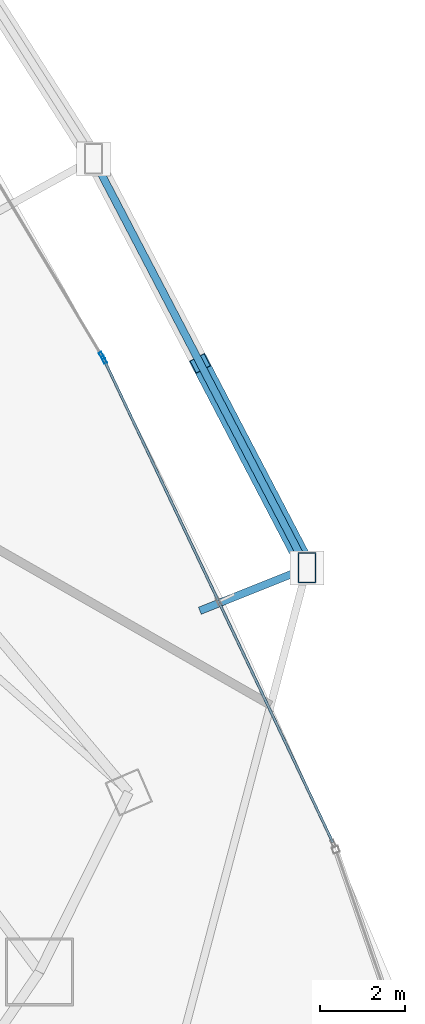
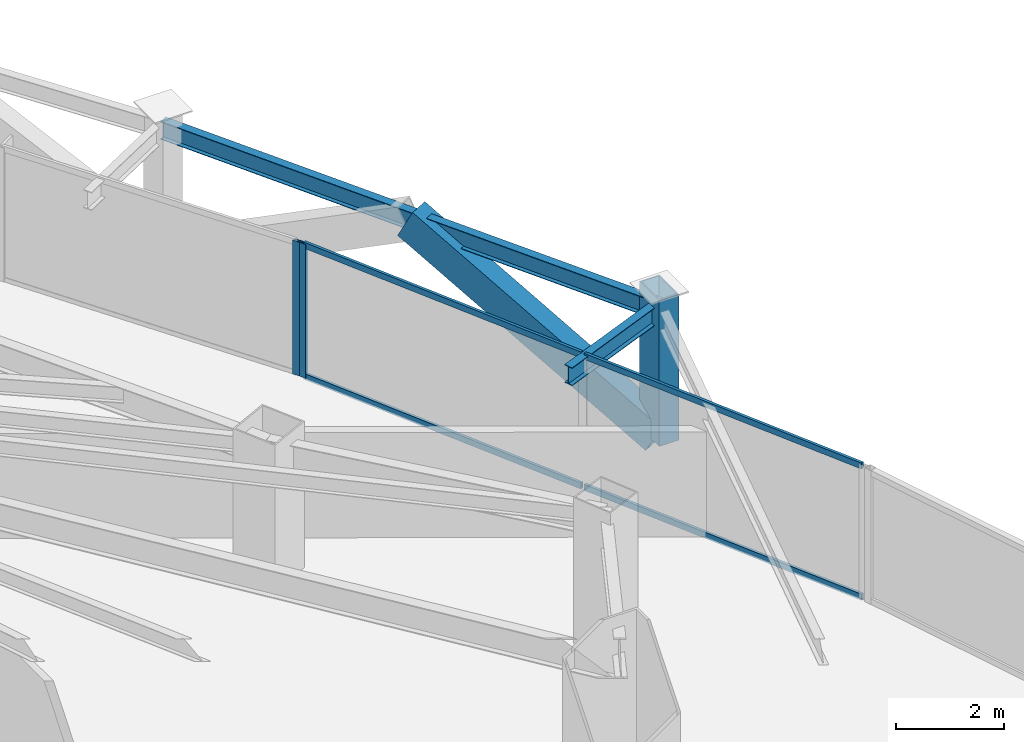
# One storey, part 21 of 38: 8 members, 2 beams, 2 elements without a shape of their own.
"""IFC4 building model written with IfcOpenShell, lengths in metres."""

from ifc_helpers import new_model, si_unit, direction, frame, origin, origin_2d, place, context, subcontext, project, spatial, hollow_rectangle, i_section, extrude, material, layer, layer_set, material_profile, profile_set, type_object, element, aggregate, save


model = new_model("IFC4")

# Units and contexts
model_context = context("Model", 3, precision=1e-05, world=origin(), true_north=direction((0.0, 1.0)))
body_context = subcontext(model_context, "Body", "Model", "MODEL_VIEW")
ifc_project = project(units=[si_unit("LENGTHUNIT", "METRE"), si_unit("AREAUNIT", "SQUARE_METRE"), si_unit("VOLUMEUNIT", "CUBIC_METRE"), si_unit("PLANEANGLEUNIT", "RADIAN"), si_unit("MASSUNIT", "GRAM", prefix="KILO")], contexts=[model_context])

# Site, building, storey
site_placement = place(None, origin())
site = spatial("IfcSite", under=ifc_project, at=site_placement, CompositionType="ELEMENT")
building_placement = place(site_placement, origin())
building = spatial("IfcBuilding", under=site, at=building_placement, Name="Orvanel Arch Residences", CompositionType="ELEMENT")
storey_placement = place(building_placement, frame((0.0, 0.0, 56.60009765625)))
storey = spatial("IfcBuildingStorey", under=building, at=storey_placement, Name="L15", CompositionType="ELEMENT", Elevation=56.60009765625)

# Members
ifc_material_1 = material(Name="Structural steel AS/NZS 3678 Grade 350", Category="steel")
ifc_material_profile_1 = material_profile(ifc_material_1, hollow_rectangle(XDim=0.419921875, YDim=0.719970703125, WallThickness=0.02490234375, at=origin_2d()), Name="RHS720x420x25")
ifc_profile_set_1 = profile_set([ifc_material_profile_1], Name="Structural steel AS/NZS 3678 Grade 350")
member_type_1 = type_object("IfcMemberType", Name="BR-720RHS-EXT", PredefinedType="BRACE", material=ifc_profile_set_1)
member_1_placement = place(storey_placement, frame((58.10302734375, 19.865966796875, 0.0), z_axis=(-0.410856851651, 0.787056878989, 0.460150102345), x_axis=(-0.886483906643, -0.462759422662, 0.0)))
element("IfcMember", 1, at=member_1_placement, inside=storey, type_object=member_type_1, Name="L15 Exterior Sky-Garden V-Frame Chevron F3B1.1", PredefinedType="BRACE", context=body_context, shape_type="SweptSolid", body=[
    extrude(hollow_rectangle(XDim=0.419921875, YDim=0.719970703125, WallThickness=0.02490234375, at=origin_2d()), origin(), (0.0, 0.0, 1.0), 6.12158203125),
])
ifc_material_profile_2 = material_profile(ifc_material_1, hollow_rectangle(XDim=0.419921875, YDim=0.719970703125, WallThickness=0.02490234375, at=origin_2d()), Name="RHS720x420x25")
ifc_profile_set_2 = profile_set([ifc_material_profile_2], Name="Structural steel AS/NZS 3678 Grade 350")
member_type_2 = type_object("IfcMemberType", Name="CH-720RHS-EXT", PredefinedType="CHORD", material=ifc_profile_set_2)
member_2_placement = place(storey_placement, frame((58.10302734375, 19.865966796875, 0.0), z_axis=(0.0, 0.0, 1.0), x_axis=(1.0, 0.0, 0.0)))
element("IfcMember", 2, at=member_2_placement, inside=storey, type_object=member_type_2, Name="L15 Outer Perimeter Frame Post 09", PredefinedType="CHORD", context=body_context, shape_type="SweptSolid", body=[
    extrude(hollow_rectangle(XDim=0.419921875, YDim=0.719970703125, WallThickness=0.02490234375, at=origin_2d()), origin(), (0.0, 0.0, 1.0), 3.2998046875),
])

# Curtain wall, member
ifc_material_2 = material(Name="Bronze-anodised aluminium AA6063-T6", Category="aluminium")
ifc_layer = layer(ifc_material_2, 0.179931640625)
ifc_layer_set = layer_set([ifc_layer], Name="Bronze-anodised aluminium AA6063-T6")
curtain_wall_type = type_object("IfcCurtainWallType", Name="CW2-LOW-SYS", PredefinedType="NOTDEFINED", material=ifc_layer_set)
curtain_wall_1_placement = place(storey_placement, origin())
curtain_wall_1 = element("IfcCurtainWall", 3, at=curtain_wall_1_placement, inside=storey, type_object=curtain_wall_type, Name="L15 CW2-LOW-SYS Unitised Curtain Wall", PredefinedType="NOTDEFINED")
ifc_material_profile_3 = material_profile(ifc_material_2, hollow_rectangle(XDim=0.070068359375, YDim=0.179931640625, WallThickness=0.00439453125, at=origin_2d()), Name="ALU180x70x4.5")
ifc_profile_set_3 = profile_set([ifc_material_profile_3], Name="Bronze-anodised aluminium AA6063-T6")
member_type_3 = type_object("IfcMemberType", Name="MUL-180x70", PredefinedType="MULLION", material=ifc_profile_set_3)
member_3_placement = place(storey_placement, frame((53.322998046875, 24.770263671875, 0.0), z_axis=(0.0, 0.0, 1.0), x_axis=(-0.903672014466, -0.428225279813, 0.0)))
member_3 = element("IfcMember", 4, at=member_3_placement, type_object=member_type_3, Name="CW-S2 mullion 3", PredefinedType="MULLION", context=body_context, shape_type="SweptSolid", body=[
    extrude(hollow_rectangle(XDim=0.070068359375, YDim=0.179931640625, WallThickness=0.00439453125, at=origin_2d()), origin(), (0.0, 0.0, 1.0), 3.02001953125),
])

curtain_wall_2_placement = place(storey_placement, origin())
curtain_wall_2 = element("IfcCurtainWall", 5, at=curtain_wall_2_placement, inside=storey, type_object=curtain_wall_type, Name="L15 CW2-LOW-SYS Unitised Curtain Wall", PredefinedType="NOTDEFINED")
member_4_placement = place(storey_placement, frame((53.27099609375, 24.866943359375, 0.0), z_axis=(0.0, 0.0, 1.0), x_axis=(-0.857569793125, -0.514367621375, 0.0)))
member_4 = element("IfcMember", 6, at=member_4_placement, type_object=member_type_3, Name="CW-S2 mullion 1", PredefinedType="MULLION", context=body_context, shape_type="SweptSolid", body=[
    extrude(hollow_rectangle(XDim=0.070068359375, YDim=0.179931640625, WallThickness=0.00439453125, at=origin_2d()), origin(), (0.0, 0.0, 1.0), 3.02001953125),
])
aggregate(curtain_wall_2, [member_4])

# Beams
ifc_material_3 = material(Name="Structural steel AS/NZS 3679.1 Grade 300 (300 MPa)", Category="steel")
ifc_material_profile_4 = material_profile(ifc_material_3, i_section(OverallWidth=0.177978515625, OverallDepth=0.406005859375, WebThickness=0.0078125, FlangeThickness=0.0126953125, at=origin_2d()), Name="410UB59.7")
ifc_profile_set_4 = profile_set([ifc_material_profile_4], Name="Structural steel AS/NZS 3679.1 Grade 300 (300 MPa)")
beam_type = type_object("IfcBeamType", Name="OB-410UB-EXT", PredefinedType="SPANDREL", material=ifc_profile_set_4)
beam_1_placement = place(storey_placement, frame((55.5791015625, 18.85595703125, 2.81689453125), z_axis=(0.928420938381, 0.371530027286, 0.0), x_axis=(-0.371530027286, 0.928420938381, 0.0)))
element("IfcBeam", 7, at=beam_1_placement, inside=storey, type_object=beam_type, Name="L15 Outer Frame Radial Tie Beam 09", PredefinedType="SPANDREL", context=body_context, shape_type="SweptSolid", body=[
    extrude(i_section(OverallWidth=0.177978515625, OverallDepth=0.406005859375, WebThickness=0.0078125, FlangeThickness=0.0126953125, at=origin_2d()), origin(), (0.0, 0.0, 1.0), 2.718505859375),
])
beam_2_placement = place(storey_placement, frame((58.10302734375, 19.865966796875, 2.81689453125), z_axis=(-0.462717233651, 0.886505928735, 0.0), x_axis=(-0.886505928735, -0.462717233651, 0.0)))
element("IfcBeam", 8, at=beam_2_placement, inside=storey, type_object=beam_type, Name="L15 Outer Perimeter Floor Ring Beam 09", PredefinedType="SPANDREL", context=body_context, shape_type="SweptSolid", body=[
    extrude(i_section(OverallWidth=0.177978515625, OverallDepth=0.406005859375, WebThickness=0.0078125, FlangeThickness=0.0126953125, at=origin_2d()), origin(), (0.0, 0.0, 1.0), 10.868408203125),
])

# Member
ifc_material_profile_5 = material_profile(ifc_material_2, hollow_rectangle(XDim=0.06005859375, YDim=0.135009765625, WallThickness=0.00390625, at=origin_2d()), Name="ALU135x60x4")
ifc_profile_set_5 = profile_set([ifc_material_profile_5], Name="Bronze-anodised aluminium AA6063-T6")
member_type_4 = type_object("IfcMemberType", Name="TRN-135x60", PredefinedType="USERDEFINED", material=ifc_profile_set_5)
member_5_placement = place(storey_placement, frame((58.7099609375, 13.40234375, 0.02978515625), z_axis=(-0.428215899321, 0.903676459563, 0.0), x_axis=(-0.903676459563, -0.428215899321, 0.0)))
member_5 = element("IfcMember", 9, at=member_5_placement, type_object=member_type_4, Name="CW-S2 transom 1.1", ObjectType="TRANSOM", PredefinedType="USERDEFINED", context=body_context, shape_type="SweptSolid", body=[
    extrude(hollow_rectangle(XDim=0.06005859375, YDim=0.135009765625, WallThickness=0.00390625, at=origin_2d()), origin(), (0.0, 0.0, 1.0), 6.2373046875),
])

member_6_placement = place(storey_placement, frame((58.7099609375, 13.40234375, 2.989990234375), z_axis=(-0.428215899321, 0.903676459563, 0.0), x_axis=(-0.903676459563, -0.428215899321, 0.0)))
member_6 = element("IfcMember", 10, at=member_6_placement, type_object=member_type_4, Name="CW-S2 transom 1.2", ObjectType="TRANSOM", PredefinedType="USERDEFINED", context=body_context, shape_type="SweptSolid", body=[
    extrude(hollow_rectangle(XDim=0.06005859375, YDim=0.135009765625, WallThickness=0.00390625, at=origin_2d()), origin(), (0.0, 0.0, 1.0), 6.2373046875),
])

member_7_placement = place(storey_placement, frame((56.009033203125, 19.10205078125, 0.02978515625), z_axis=(-0.428232716315, 0.903668490475, 0.0), x_axis=(-0.903668490475, -0.428232716315, 0.0)))
member_7 = element("IfcMember", 11, at=member_7_placement, type_object=member_type_4, Name="CW-S2 transom 2.1", ObjectType="TRANSOM", PredefinedType="USERDEFINED", context=body_context, shape_type="SweptSolid", body=[
    extrude(hollow_rectangle(XDim=0.06005859375, YDim=0.135009765625, WallThickness=0.00390625, at=origin_2d()), origin(), (0.0, 0.0, 1.0), 6.237548828125),
])

member_8_placement = place(storey_placement, frame((56.009033203125, 19.10205078125, 2.989990234375), z_axis=(-0.428232716315, 0.903668490475, 0.0), x_axis=(-0.903668490475, -0.428232716315, 0.0)))
member_8 = element("IfcMember", 12, at=member_8_placement, type_object=member_type_4, Name="CW-S2 transom 2.2", ObjectType="TRANSOM", PredefinedType="USERDEFINED", context=body_context, shape_type="SweptSolid", body=[
    extrude(hollow_rectangle(XDim=0.06005859375, YDim=0.135009765625, WallThickness=0.00390625, at=origin_2d()), origin(), (0.0, 0.0, 1.0), 6.237548828125),
])

aggregate(curtain_wall_1, [member_3, member_5, member_6, member_7, member_8])

save(model, "model.ifc")
